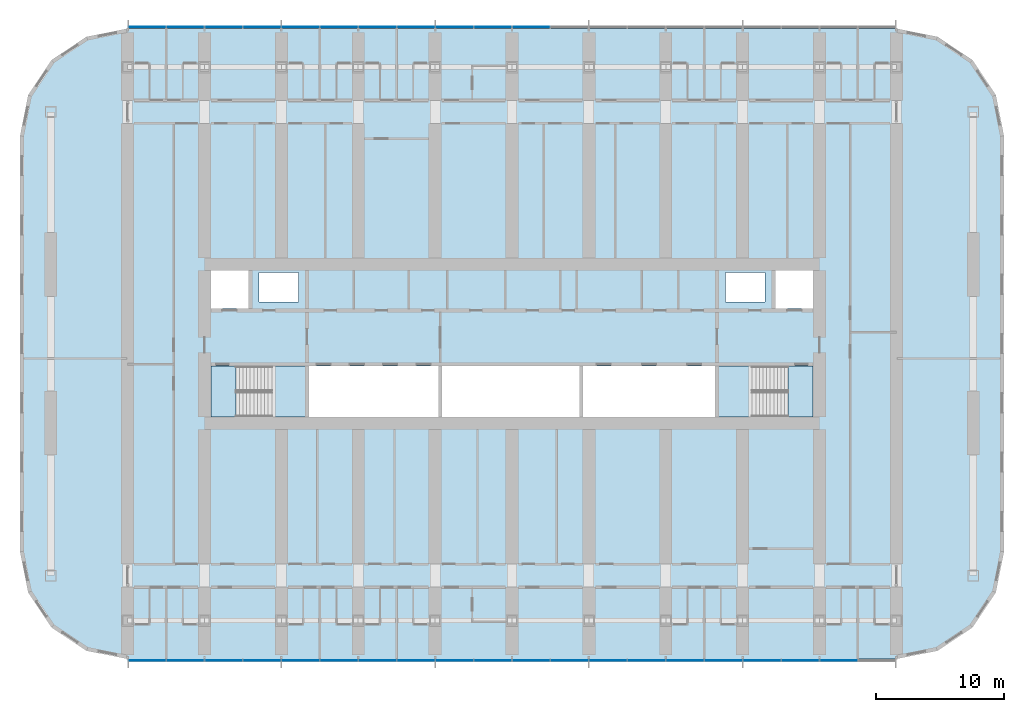
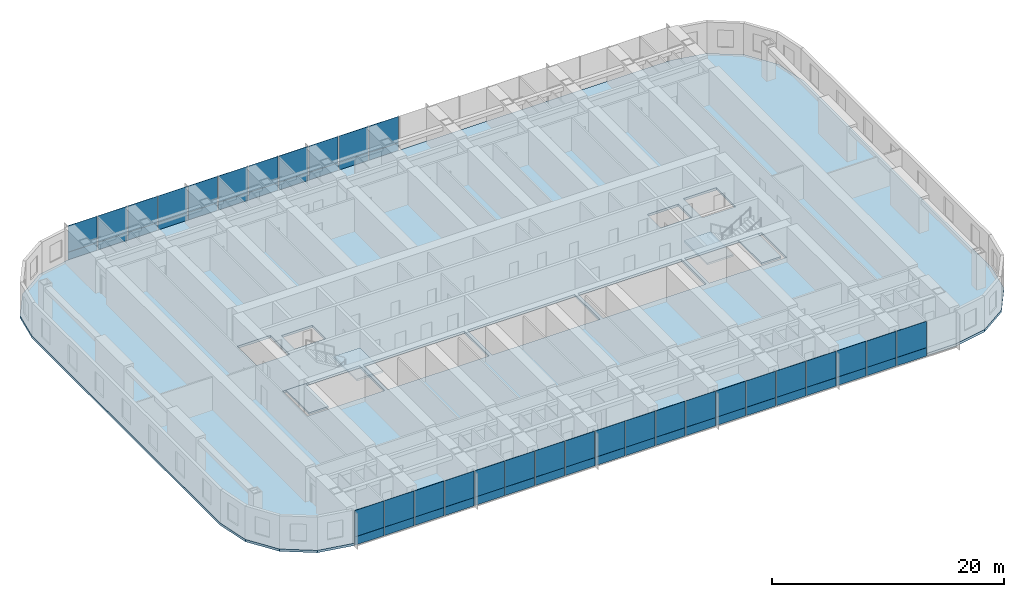
# One storey, part 8 of 23: 60 plates, 5 slabs, 4 elements without a shape of their own.
"""IFC4 building model written with IfcOpenShell, lengths in metres."""

from ifc_helpers import new_model, si_unit, direction, frame, origin, origin_2d, place, context, subcontext, project, spatial, polyline, rectangle, outline, extrude, material, layer, layer_set, type_object, element, aggregate, save


model = new_model("IFC4")

# Units and contexts
model_context = context("Model", 3, precision=1e-05, world=origin(), true_north=direction((0.0, 1.0)))
body_context = subcontext(model_context, "Body", "Model", "MODEL_VIEW")
ifc_project = project(units=[si_unit("LENGTHUNIT", "METRE"), si_unit("AREAUNIT", "SQUARE_METRE"), si_unit("VOLUMEUNIT", "CUBIC_METRE"), si_unit("PLANEANGLEUNIT", "RADIAN"), si_unit("MASSUNIT", "GRAM", prefix="KILO")], contexts=[model_context])

# Site, building, storey
site_placement = place(None, origin())
site = spatial("IfcSite", under=ifc_project, at=site_placement, CompositionType="ELEMENT")
building_placement = place(site_placement, origin())
building = spatial("IfcBuilding", under=site, at=building_placement, Name="Orbita Commons", CompositionType="ELEMENT")
storey_placement = place(building_placement, frame((0.0, 0.0, 46.449951171875)))
storey = spatial("IfcBuildingStorey", under=building, at=storey_placement, Name="L11", CompositionType="ELEMENT", Elevation=46.449951171875)

# Slab
ifc_material_1 = material(Name="Concrete C40/50", Category="concrete")
ifc_layer_1 = layer(ifc_material_1, 0.25)
ifc_layer_set_1 = layer_set([ifc_layer_1], Name="Concrete C40/50")
slab_type_1 = type_object("IfcSlabType", Name="Floor slab 250", PredefinedType="FLOOR", material=ifc_layer_set_1)
slab_1_placement = place(storey_placement, frame((0.0, 0.0, -0.25)))
element("IfcSlab", 1, at=slab_1_placement, inside=storey, type_object=slab_type_1, Name="Floor slab L11", PredefinedType="FLOOR", context=body_context, shape_type="SweptSolid", body=[
    extrude(outline(polyline([(72.0, 7.39990234375), (75.214599609375, 8.039306640625), (77.939697265625, 9.8603515625), (79.760498046875, 12.58544921875), (80.39990234375, 15.800048828125), (80.39990234375, 48.199951171875), (79.760498046875, 51.41455078125), (77.939697265625, 54.1396484375), (75.214599609375, 55.960693359375), (72.0, 56.60009765625), (12.0, 56.60009765625), (8.785400390625, 55.960693359375), (6.060302734375, 54.1396484375), (4.239501953125, 51.41455078125), (3.60009765625, 48.199951171875), (3.60009765625, 15.800048828125), (4.239501953125, 12.58544921875), (6.060302734375, 9.8603515625), (8.785400390625, 8.039306640625), (12.0, 7.39990234375), (72.0, 7.39990234375)]), holes=[polyline([(18.14990234375, 25.949951171875), (25.85009765625, 25.949951171875), (25.85009765625, 30.25), (18.14990234375, 30.25), (18.14990234375, 25.949951171875)]), polyline([(58.14990234375, 25.949951171875), (65.85009765625, 25.949951171875), (65.85009765625, 30.25), (58.14990234375, 30.25), (58.14990234375, 25.949951171875)]), polyline([(18.14990234375, 34.75), (21.449951171875, 34.75), (21.449951171875, 38.050048828125), (18.14990234375, 38.050048828125), (18.14990234375, 34.75)]), polyline([(62.550048828125, 34.75), (65.85009765625, 34.75), (65.85009765625, 38.050048828125), (62.550048828125, 38.050048828125), (62.550048828125, 34.75)]), polyline([(22.25, 35.25), (25.35009765625, 35.25), (25.35009765625, 37.550048828125), (22.25, 37.550048828125), (22.25, 35.25)]), polyline([(58.64990234375, 35.25), (61.75, 35.25), (61.75, 37.550048828125), (58.64990234375, 37.550048828125), (58.64990234375, 35.25)]), polyline([(26.14990234375, 25.949951171875), (36.25, 25.949951171875), (36.25, 30.25), (26.14990234375, 30.25), (26.14990234375, 25.949951171875)]), polyline([(36.550048828125, 25.949951171875), (47.25, 25.949951171875), (47.25, 30.25), (36.550048828125, 30.25), (36.550048828125, 25.949951171875)]), polyline([(47.550048828125, 25.949951171875), (57.85009765625, 25.949951171875), (57.85009765625, 30.25), (47.550048828125, 30.25), (47.550048828125, 25.949951171875)])]), origin(), (0.0, 0.0, 1.0), 0.25),
])

# Curtain wall, plates
ifc_material_2 = material(Name="Anodised aluminium frame, pale silver", Category="aluminium")
curtain_wall_type = type_object("IfcCurtainWallType", Name="Unitised curtain wall CW-T, vision and spandrel", PredefinedType="NOTDEFINED", material=ifc_material_2)
curtain_wall_1_placement = place(storey_placement, origin())
curtain_wall_1 = element("IfcCurtainWall", 2, at=curtain_wall_1_placement, inside=storey, type_object=curtain_wall_type, Name="Curtain wall south L11", PredefinedType="NOTDEFINED")
ifc_material_3 = material(Name="Anodised aluminium sheet on mineral wool", Category="aluminium")
ifc_layer_2 = layer(ifc_material_3, 0.050048828125)
ifc_layer_set_2 = layer_set([ifc_layer_2], Name="Anodised aluminium sheet on mineral wool")
plate_type_1 = type_object("IfcPlateType", Name="Spandrel panel, pale aluminium over insulation 50", PredefinedType="CURTAIN_PANEL", material=ifc_layer_set_2)
plate_1_placement = place(storey_placement, frame((13.52001953125, 7.2900390625, -0.14990234375), z_axis=(0.0, 0.0, 1.0), x_axis=(1.0, 0.0, 0.0)))
plate_1 = element("IfcPlate", 3, at=plate_1_placement, type_object=plate_type_1, Name="Panel 1.1 CW-L11-S", PredefinedType="CURTAIN_PANEL", context=body_context, shape_type="SweptSolid", body=[
    extrude(rectangle(XDim=2.8798828125, YDim=0.050048828125, at=origin_2d()), origin(), (0.0, 0.0, 1.0), 0.875),
])
plate_2_placement = place(storey_placement, frame((16.5, 7.2900390625, -0.14990234375), z_axis=(0.0, 0.0, 1.0), x_axis=(1.0, 0.0, 0.0)))
plate_2 = element("IfcPlate", 4, at=plate_2_placement, type_object=plate_type_1, Name="Panel 2.1 CW-L11-S", PredefinedType="CURTAIN_PANEL", context=body_context, shape_type="SweptSolid", body=[
    extrude(rectangle(XDim=2.919921875, YDim=0.050048828125, at=origin_2d()), origin(), (0.0, 0.0, 1.0), 0.875),
])
plate_3_placement = place(storey_placement, frame((19.5, 7.2900390625, -0.14990234375), z_axis=(0.0, 0.0, 1.0), x_axis=(1.0, 0.0, 0.0)))
plate_3 = element("IfcPlate", 5, at=plate_3_placement, type_object=plate_type_1, Name="Panel 3.1 CW-L11-S", PredefinedType="CURTAIN_PANEL", context=body_context, shape_type="SweptSolid", body=[
    extrude(rectangle(XDim=2.919921875, YDim=0.050048828125, at=origin_2d()), origin(), (0.0, 0.0, 1.0), 0.875),
])
plate_4_placement = place(storey_placement, frame((22.5, 7.2900390625, -0.14990234375), z_axis=(0.0, 0.0, 1.0), x_axis=(1.0, 0.0, 0.0)))
plate_4 = element("IfcPlate", 6, at=plate_4_placement, type_object=plate_type_1, Name="Panel 4.1 CW-L11-S", PredefinedType="CURTAIN_PANEL", context=body_context, shape_type="SweptSolid", body=[
    extrude(rectangle(XDim=2.919921875, YDim=0.050048828125, at=origin_2d()), origin(), (0.0, 0.0, 1.0), 0.875),
])
plate_5_placement = place(storey_placement, frame((25.5, 7.2900390625, -0.14990234375), z_axis=(0.0, 0.0, 1.0), x_axis=(1.0, 0.0, 0.0)))
plate_5 = element("IfcPlate", 7, at=plate_5_placement, type_object=plate_type_1, Name="Panel 5.1 CW-L11-S", PredefinedType="CURTAIN_PANEL", context=body_context, shape_type="SweptSolid", body=[
    extrude(rectangle(XDim=2.919921875, YDim=0.050048828125, at=origin_2d()), origin(), (0.0, 0.0, 1.0), 0.875),
])
plate_6_placement = place(storey_placement, frame((28.5, 7.2900390625, -0.14990234375), z_axis=(0.0, 0.0, 1.0), x_axis=(1.0, 0.0, 0.0)))
plate_6 = element("IfcPlate", 8, at=plate_6_placement, type_object=plate_type_1, Name="Panel 6.1 CW-L11-S", PredefinedType="CURTAIN_PANEL", context=body_context, shape_type="SweptSolid", body=[
    extrude(rectangle(XDim=2.919921875, YDim=0.050048828125, at=origin_2d()), origin(), (0.0, 0.0, 1.0), 0.875),
])
plate_7_placement = place(storey_placement, frame((31.5, 7.2900390625, -0.14990234375), z_axis=(0.0, 0.0, 1.0), x_axis=(1.0, 0.0, 0.0)))
plate_7 = element("IfcPlate", 9, at=plate_7_placement, type_object=plate_type_1, Name="Panel 7.1 CW-L11-S", PredefinedType="CURTAIN_PANEL", context=body_context, shape_type="SweptSolid", body=[
    extrude(rectangle(XDim=2.919921875, YDim=0.050048828125, at=origin_2d()), origin(), (0.0, 0.0, 1.0), 0.875),
])
plate_8_placement = place(storey_placement, frame((34.5, 7.2900390625, -0.14990234375), z_axis=(0.0, 0.0, 1.0), x_axis=(1.0, 0.0, 0.0)))
plate_8 = element("IfcPlate", 10, at=plate_8_placement, type_object=plate_type_1, Name="Panel 8.1 CW-L11-S", PredefinedType="CURTAIN_PANEL", context=body_context, shape_type="SweptSolid", body=[
    extrude(rectangle(XDim=2.919921875, YDim=0.050048828125, at=origin_2d()), origin(), (0.0, 0.0, 1.0), 0.875),
])
plate_9_placement = place(storey_placement, frame((37.5, 7.2900390625, -0.14990234375), z_axis=(0.0, 0.0, 1.0), x_axis=(1.0, 0.0, 0.0)))
plate_9 = element("IfcPlate", 11, at=plate_9_placement, type_object=plate_type_1, Name="Panel 9.1 CW-L11-S", PredefinedType="CURTAIN_PANEL", context=body_context, shape_type="SweptSolid", body=[
    extrude(rectangle(XDim=2.919921875, YDim=0.050048828125, at=origin_2d()), origin(), (0.0, 0.0, 1.0), 0.875),
])
plate_10_placement = place(storey_placement, frame((40.5, 7.2900390625, -0.14990234375), z_axis=(0.0, 0.0, 1.0), x_axis=(1.0, 0.0, 0.0)))
plate_10 = element("IfcPlate", 12, at=plate_10_placement, type_object=plate_type_1, Name="Panel 10.1 CW-L11-S", PredefinedType="CURTAIN_PANEL", context=body_context, shape_type="SweptSolid", body=[
    extrude(rectangle(XDim=2.919921875, YDim=0.050048828125, at=origin_2d()), origin(), (0.0, 0.0, 1.0), 0.875),
])
plate_11_placement = place(storey_placement, frame((43.5, 7.2900390625, -0.14990234375), z_axis=(0.0, 0.0, 1.0), x_axis=(1.0, 0.0, 0.0)))
plate_11 = element("IfcPlate", 13, at=plate_11_placement, type_object=plate_type_1, Name="Panel 11.1 CW-L11-S", PredefinedType="CURTAIN_PANEL", context=body_context, shape_type="SweptSolid", body=[
    extrude(rectangle(XDim=2.919921875, YDim=0.050048828125, at=origin_2d()), origin(), (0.0, 0.0, 1.0), 0.875),
])
plate_12_placement = place(storey_placement, frame((46.5, 7.2900390625, -0.14990234375), z_axis=(0.0, 0.0, 1.0), x_axis=(1.0, 0.0, 0.0)))
plate_12 = element("IfcPlate", 14, at=plate_12_placement, type_object=plate_type_1, Name="Panel 12.1 CW-L11-S", PredefinedType="CURTAIN_PANEL", context=body_context, shape_type="SweptSolid", body=[
    extrude(rectangle(XDim=2.919921875, YDim=0.050048828125, at=origin_2d()), origin(), (0.0, 0.0, 1.0), 0.875),
])
plate_13_placement = place(storey_placement, frame((49.5, 7.2900390625, -0.14990234375), z_axis=(0.0, 0.0, 1.0), x_axis=(1.0, 0.0, 0.0)))
plate_13 = element("IfcPlate", 15, at=plate_13_placement, type_object=plate_type_1, Name="Panel 13.1 CW-L11-S", PredefinedType="CURTAIN_PANEL", context=body_context, shape_type="SweptSolid", body=[
    extrude(rectangle(XDim=2.919921875, YDim=0.050048828125, at=origin_2d()), origin(), (0.0, 0.0, 1.0), 0.875),
])
plate_14_placement = place(storey_placement, frame((52.5, 7.2900390625, -0.14990234375), z_axis=(0.0, 0.0, 1.0), x_axis=(1.0, 0.0, 0.0)))
plate_14 = element("IfcPlate", 16, at=plate_14_placement, type_object=plate_type_1, Name="Panel 14.1 CW-L11-S", PredefinedType="CURTAIN_PANEL", context=body_context, shape_type="SweptSolid", body=[
    extrude(rectangle(XDim=2.919921875, YDim=0.050048828125, at=origin_2d()), origin(), (0.0, 0.0, 1.0), 0.875),
])
plate_15_placement = place(storey_placement, frame((55.5, 7.2900390625, -0.14990234375), z_axis=(0.0, 0.0, 1.0), x_axis=(1.0, 0.0, 0.0)))
plate_15 = element("IfcPlate", 17, at=plate_15_placement, type_object=plate_type_1, Name="Panel 15.1 CW-L11-S", PredefinedType="CURTAIN_PANEL", context=body_context, shape_type="SweptSolid", body=[
    extrude(rectangle(XDim=2.919921875, YDim=0.050048828125, at=origin_2d()), origin(), (0.0, 0.0, 1.0), 0.875),
])
plate_16_placement = place(storey_placement, frame((58.5, 7.2900390625, -0.14990234375), z_axis=(0.0, 0.0, 1.0), x_axis=(1.0, 0.0, 0.0)))
plate_16 = element("IfcPlate", 18, at=plate_16_placement, type_object=plate_type_1, Name="Panel 16.1 CW-L11-S", PredefinedType="CURTAIN_PANEL", context=body_context, shape_type="SweptSolid", body=[
    extrude(rectangle(XDim=2.919921875, YDim=0.050048828125, at=origin_2d()), origin(), (0.0, 0.0, 1.0), 0.875),
])
plate_17_placement = place(storey_placement, frame((61.5, 7.2900390625, -0.14990234375), z_axis=(0.0, 0.0, 1.0), x_axis=(1.0, 0.0, 0.0)))
plate_17 = element("IfcPlate", 19, at=plate_17_placement, type_object=plate_type_1, Name="Panel 17.1 CW-L11-S", PredefinedType="CURTAIN_PANEL", context=body_context, shape_type="SweptSolid", body=[
    extrude(rectangle(XDim=2.919921875, YDim=0.050048828125, at=origin_2d()), origin(), (0.0, 0.0, 1.0), 0.875),
])
plate_18_placement = place(storey_placement, frame((64.5, 7.2900390625, -0.14990234375), z_axis=(0.0, 0.0, 1.0), x_axis=(1.0, 0.0, 0.0)))
plate_18 = element("IfcPlate", 20, at=plate_18_placement, type_object=plate_type_1, Name="Panel 18.1 CW-L11-S", PredefinedType="CURTAIN_PANEL", context=body_context, shape_type="SweptSolid", body=[
    extrude(rectangle(XDim=2.919921875, YDim=0.050048828125, at=origin_2d()), origin(), (0.0, 0.0, 1.0), 0.875),
])
plate_19_placement = place(storey_placement, frame((67.5, 7.2900390625, -0.14990234375), z_axis=(0.0, 0.0, 1.0), x_axis=(1.0, 0.0, 0.0)))
plate_19 = element("IfcPlate", 21, at=plate_19_placement, type_object=plate_type_1, Name="Panel 19.1 CW-L11-S", PredefinedType="CURTAIN_PANEL", context=body_context, shape_type="SweptSolid", body=[
    extrude(rectangle(XDim=2.919921875, YDim=0.050048828125, at=origin_2d()), origin(), (0.0, 0.0, 1.0), 0.875),
])

curtain_wall_2_placement = place(storey_placement, origin())
curtain_wall_2 = element("IfcCurtainWall", 22, at=curtain_wall_2_placement, inside=storey, type_object=curtain_wall_type, Name="Curtain wall north L11", PredefinedType="NOTDEFINED")
plate_20_placement = place(storey_placement, frame((43.5, 56.7099609375, -0.14990234375), z_axis=(0.0, 0.0, 1.0), x_axis=(-1.0, 0.0, 0.0)))
plate_20 = element("IfcPlate", 23, at=plate_20_placement, type_object=plate_type_1, Name="Panel 10.1 CW-L11-N", PredefinedType="CURTAIN_PANEL", context=body_context, shape_type="SweptSolid", body=[
    extrude(rectangle(XDim=2.919921875, YDim=0.050048828125, at=origin_2d()), origin(), (0.0, 0.0, 1.0), 0.875),
])
plate_21_placement = place(storey_placement, frame((40.5, 56.7099609375, -0.14990234375), z_axis=(0.0, 0.0, 1.0), x_axis=(-1.0, 0.0, 0.0)))
plate_21 = element("IfcPlate", 24, at=plate_21_placement, type_object=plate_type_1, Name="Panel 11.1 CW-L11-N", PredefinedType="CURTAIN_PANEL", context=body_context, shape_type="SweptSolid", body=[
    extrude(rectangle(XDim=2.919921875, YDim=0.050048828125, at=origin_2d()), origin(), (0.0, 0.0, 1.0), 0.875),
])
plate_22_placement = place(storey_placement, frame((37.5, 56.7099609375, -0.14990234375), z_axis=(0.0, 0.0, 1.0), x_axis=(-1.0, 0.0, 0.0)))
plate_22 = element("IfcPlate", 25, at=plate_22_placement, type_object=plate_type_1, Name="Panel 12.1 CW-L11-N", PredefinedType="CURTAIN_PANEL", context=body_context, shape_type="SweptSolid", body=[
    extrude(rectangle(XDim=2.919921875, YDim=0.050048828125, at=origin_2d()), origin(), (0.0, 0.0, 1.0), 0.875),
])
plate_23_placement = place(storey_placement, frame((34.5, 56.7099609375, -0.14990234375), z_axis=(0.0, 0.0, 1.0), x_axis=(-1.0, 0.0, 0.0)))
plate_23 = element("IfcPlate", 26, at=plate_23_placement, type_object=plate_type_1, Name="Panel 13.1 CW-L11-N", PredefinedType="CURTAIN_PANEL", context=body_context, shape_type="SweptSolid", body=[
    extrude(rectangle(XDim=2.919921875, YDim=0.050048828125, at=origin_2d()), origin(), (0.0, 0.0, 1.0), 0.875),
])
plate_24_placement = place(storey_placement, frame((31.5, 56.7099609375, -0.14990234375), z_axis=(0.0, 0.0, 1.0), x_axis=(-1.0, 0.0, 0.0)))
plate_24 = element("IfcPlate", 27, at=plate_24_placement, type_object=plate_type_1, Name="Panel 14.1 CW-L11-N", PredefinedType="CURTAIN_PANEL", context=body_context, shape_type="SweptSolid", body=[
    extrude(rectangle(XDim=2.919921875, YDim=0.050048828125, at=origin_2d()), origin(), (0.0, 0.0, 1.0), 0.875),
])
plate_25_placement = place(storey_placement, frame((28.5, 56.7099609375, -0.14990234375), z_axis=(0.0, 0.0, 1.0), x_axis=(-1.0, 0.0, 0.0)))
plate_25 = element("IfcPlate", 28, at=plate_25_placement, type_object=plate_type_1, Name="Panel 15.1 CW-L11-N", PredefinedType="CURTAIN_PANEL", context=body_context, shape_type="SweptSolid", body=[
    extrude(rectangle(XDim=2.919921875, YDim=0.050048828125, at=origin_2d()), origin(), (0.0, 0.0, 1.0), 0.875),
])
plate_26_placement = place(storey_placement, frame((25.5, 56.7099609375, -0.14990234375), z_axis=(0.0, 0.0, 1.0), x_axis=(-1.0, 0.0, 0.0)))
plate_26 = element("IfcPlate", 29, at=plate_26_placement, type_object=plate_type_1, Name="Panel 16.1 CW-L11-N", PredefinedType="CURTAIN_PANEL", context=body_context, shape_type="SweptSolid", body=[
    extrude(rectangle(XDim=2.919921875, YDim=0.050048828125, at=origin_2d()), origin(), (0.0, 0.0, 1.0), 0.875),
])
plate_27_placement = place(storey_placement, frame((22.5, 56.7099609375, -0.14990234375), z_axis=(0.0, 0.0, 1.0), x_axis=(-1.0, 0.0, 0.0)))
plate_27 = element("IfcPlate", 30, at=plate_27_placement, type_object=plate_type_1, Name="Panel 17.1 CW-L11-N", PredefinedType="CURTAIN_PANEL", context=body_context, shape_type="SweptSolid", body=[
    extrude(rectangle(XDim=2.919921875, YDim=0.050048828125, at=origin_2d()), origin(), (0.0, 0.0, 1.0), 0.875),
])
plate_28_placement = place(storey_placement, frame((19.5, 56.7099609375, -0.14990234375), z_axis=(0.0, 0.0, 1.0), x_axis=(-1.0, 0.0, 0.0)))
plate_28 = element("IfcPlate", 31, at=plate_28_placement, type_object=plate_type_1, Name="Panel 18.1 CW-L11-N", PredefinedType="CURTAIN_PANEL", context=body_context, shape_type="SweptSolid", body=[
    extrude(rectangle(XDim=2.919921875, YDim=0.050048828125, at=origin_2d()), origin(), (0.0, 0.0, 1.0), 0.875),
])
plate_29_placement = place(storey_placement, frame((16.5, 56.7099609375, -0.14990234375), z_axis=(0.0, 0.0, 1.0), x_axis=(-1.0, 0.0, 0.0)))
plate_29 = element("IfcPlate", 32, at=plate_29_placement, type_object=plate_type_1, Name="Panel 19.1 CW-L11-N", PredefinedType="CURTAIN_PANEL", context=body_context, shape_type="SweptSolid", body=[
    extrude(rectangle(XDim=2.919921875, YDim=0.050048828125, at=origin_2d()), origin(), (0.0, 0.0, 1.0), 0.875),
])
plate_30_placement = place(storey_placement, frame((13.52001953125, 56.7099609375, -0.14990234375), z_axis=(0.0, 0.0, 1.0), x_axis=(-1.0, 0.0, 0.0)))
plate_30 = element("IfcPlate", 33, at=plate_30_placement, type_object=plate_type_1, Name="Panel 20.1 CW-L11-N", PredefinedType="CURTAIN_PANEL", context=body_context, shape_type="SweptSolid", body=[
    extrude(rectangle(XDim=2.8798828125, YDim=0.050048828125, at=origin_2d()), origin(), (0.0, 0.0, 1.0), 0.875),
])

# Stair, slabs
ifc_material_4 = material(Name="Precast concrete C40/50", Category="concrete")
stair_type_1 = type_object("IfcStairType", Name="Exit stair S1 2 flights 11 risers 170", PredefinedType="HALF_TURN_STAIR", material=ifc_material_4)
stair_1_placement = place(storey_placement, origin())
stair_1 = element("IfcStair", 34, at=stair_1_placement, inside=storey, type_object=stair_type_1, Name="Exit stair S1 L11", PredefinedType="HALF_TURN_STAIR")
ifc_material_5 = material(Name="Concrete C40/50", Category="concrete")
ifc_layer_3 = layer(ifc_material_5, 0.199951171875)
ifc_layer_set_3 = layer_set([ifc_layer_3], Name="Concrete C40/50")
slab_type_2 = type_object("IfcSlabType", Name="Stair landing 200", PredefinedType="LANDING", material=ifc_layer_set_3)
slab_2_placement = place(storey_placement, frame((0.0, 0.0, -0.199951171875)))
slab_2 = element("IfcSlab", 35, at=slab_2_placement, type_object=slab_type_2, Name="S1 landing 1", PredefinedType="LANDING", context=body_context, shape_type="SweptSolid", body=[
    extrude(outline(polyline([(18.5, 26.300048828125), (20.449951171875, 26.300048828125), (20.449951171875, 30.25), (18.5, 30.25), (18.5, 26.300048828125)])), origin(), (0.0, 0.0, 1.0), 0.199951171875),
])
slab_3_placement = place(storey_placement, frame((0.0, 0.0, 1.675048828125)))
slab_3 = element("IfcSlab", 36, at=slab_3_placement, type_object=slab_type_2, Name="S1 landing 2", PredefinedType="LANDING", context=body_context, shape_type="SweptSolid", body=[
    extrude(outline(polyline([(23.25, 26.284912109375), (25.864990234375, 26.284912109375), (25.864990234375, 30.264892578125), (23.25, 30.264892578125), (23.25, 26.284912109375)])), origin(), (0.0, 0.0, 1.0), 0.199951171875),
])
aggregate(stair_1, [slab_2, slab_3])

ifc_material_6 = material(Name="Precast concrete C40/50", Category="concrete")
stair_type_2 = type_object("IfcStairType", Name="Exit stair S2 2 flights 11 risers 170", PredefinedType="HALF_TURN_STAIR", material=ifc_material_6)
stair_2_placement = place(storey_placement, origin())
stair_2 = element("IfcStair", 37, at=stair_2_placement, inside=storey, type_object=stair_type_2, Name="Exit stair S2 L11", PredefinedType="HALF_TURN_STAIR")
slab_4_placement = place(storey_placement, frame((0.0, 0.0, -0.199951171875)))
slab_4 = element("IfcSlab", 38, at=slab_4_placement, type_object=slab_type_2, Name="S2 landing 1", PredefinedType="LANDING", context=body_context, shape_type="SweptSolid", body=[
    extrude(outline(polyline([(63.550048828125, 26.300048828125), (65.5, 26.300048828125), (65.5, 30.25), (63.550048828125, 30.25), (63.550048828125, 26.300048828125)])), origin(), (0.0, 0.0, 1.0), 0.199951171875),
])
slab_5_placement = place(storey_placement, frame((0.0, 0.0, 1.675048828125)))
slab_5 = element("IfcSlab", 39, at=slab_5_placement, type_object=slab_type_2, Name="S2 landing 2", PredefinedType="LANDING", context=body_context, shape_type="SweptSolid", body=[
    extrude(outline(polyline([(58.135009765625, 26.284912109375), (60.75, 26.284912109375), (60.75, 30.264892578125), (58.135009765625, 30.264892578125), (58.135009765625, 26.284912109375)])), origin(), (0.0, 0.0, 1.0), 0.199951171875),
])
aggregate(stair_2, [slab_4, slab_5])

# Plate
ifc_material_7 = material(Name="Clear double glazing", Category="glass")
ifc_layer_4 = layer(ifc_material_7, 0.031982421875)
ifc_layer_set_4 = layer_set([ifc_layer_4], Name="Clear double glazing")
plate_type_2 = type_object("IfcPlateType", Name="Vision panel, clear double glazing 32", PredefinedType="CURTAIN_PANEL", material=ifc_layer_set_4)
plate_31_placement = place(storey_placement, frame((13.52001953125, 7.2900390625, 0.72509765625), z_axis=(0.0, 0.0, 1.0), x_axis=(1.0, 0.0, 0.0)))
plate_31 = element("IfcPlate", 40, at=plate_31_placement, type_object=plate_type_2, Name="Panel 1.2 CW-L11-S", PredefinedType="CURTAIN_PANEL", context=body_context, shape_type="SweptSolid", body=[
    extrude(rectangle(XDim=2.8798828125, YDim=0.031982421875, at=origin_2d()), origin(), (0.0, 0.0, 1.0), 2.77490234375),
])

plate_32_placement = place(storey_placement, frame((16.5, 7.2900390625, 0.72509765625), z_axis=(0.0, 0.0, 1.0), x_axis=(1.0, 0.0, 0.0)))
plate_32 = element("IfcPlate", 41, at=plate_32_placement, type_object=plate_type_2, Name="Panel 2.2 CW-L11-S", PredefinedType="CURTAIN_PANEL", context=body_context, shape_type="SweptSolid", body=[
    extrude(rectangle(XDim=2.919921875, YDim=0.031982421875, at=origin_2d()), origin(), (0.0, 0.0, 1.0), 2.77490234375),
])

plate_33_placement = place(storey_placement, frame((19.5, 7.2900390625, 0.72509765625), z_axis=(0.0, 0.0, 1.0), x_axis=(1.0, 0.0, 0.0)))
plate_33 = element("IfcPlate", 42, at=plate_33_placement, type_object=plate_type_2, Name="Panel 3.2 CW-L11-S", PredefinedType="CURTAIN_PANEL", context=body_context, shape_type="SweptSolid", body=[
    extrude(rectangle(XDim=2.919921875, YDim=0.031982421875, at=origin_2d()), origin(), (0.0, 0.0, 1.0), 2.77490234375),
])

plate_34_placement = place(storey_placement, frame((22.5, 7.2900390625, 0.72509765625), z_axis=(0.0, 0.0, 1.0), x_axis=(1.0, 0.0, 0.0)))
plate_34 = element("IfcPlate", 43, at=plate_34_placement, type_object=plate_type_2, Name="Panel 4.2 CW-L11-S", PredefinedType="CURTAIN_PANEL", context=body_context, shape_type="SweptSolid", body=[
    extrude(rectangle(XDim=2.919921875, YDim=0.031982421875, at=origin_2d()), origin(), (0.0, 0.0, 1.0), 2.77490234375),
])

plate_35_placement = place(storey_placement, frame((25.5, 7.2900390625, 0.72509765625), z_axis=(0.0, 0.0, 1.0), x_axis=(1.0, 0.0, 0.0)))
plate_35 = element("IfcPlate", 44, at=plate_35_placement, type_object=plate_type_2, Name="Panel 5.2 CW-L11-S", PredefinedType="CURTAIN_PANEL", context=body_context, shape_type="SweptSolid", body=[
    extrude(rectangle(XDim=2.919921875, YDim=0.031982421875, at=origin_2d()), origin(), (0.0, 0.0, 1.0), 2.77490234375),
])

plate_36_placement = place(storey_placement, frame((28.5, 7.2900390625, 0.72509765625), z_axis=(0.0, 0.0, 1.0), x_axis=(1.0, 0.0, 0.0)))
plate_36 = element("IfcPlate", 45, at=plate_36_placement, type_object=plate_type_2, Name="Panel 6.2 CW-L11-S", PredefinedType="CURTAIN_PANEL", context=body_context, shape_type="SweptSolid", body=[
    extrude(rectangle(XDim=2.919921875, YDim=0.031982421875, at=origin_2d()), origin(), (0.0, 0.0, 1.0), 2.77490234375),
])

plate_37_placement = place(storey_placement, frame((31.5, 7.2900390625, 0.72509765625), z_axis=(0.0, 0.0, 1.0), x_axis=(1.0, 0.0, 0.0)))
plate_37 = element("IfcPlate", 46, at=plate_37_placement, type_object=plate_type_2, Name="Panel 7.2 CW-L11-S", PredefinedType="CURTAIN_PANEL", context=body_context, shape_type="SweptSolid", body=[
    extrude(rectangle(XDim=2.919921875, YDim=0.031982421875, at=origin_2d()), origin(), (0.0, 0.0, 1.0), 2.77490234375),
])

plate_38_placement = place(storey_placement, frame((34.5, 7.2900390625, 0.72509765625), z_axis=(0.0, 0.0, 1.0), x_axis=(1.0, 0.0, 0.0)))
plate_38 = element("IfcPlate", 47, at=plate_38_placement, type_object=plate_type_2, Name="Panel 8.2 CW-L11-S", PredefinedType="CURTAIN_PANEL", context=body_context, shape_type="SweptSolid", body=[
    extrude(rectangle(XDim=2.919921875, YDim=0.031982421875, at=origin_2d()), origin(), (0.0, 0.0, 1.0), 2.77490234375),
])

plate_39_placement = place(storey_placement, frame((37.5, 7.2900390625, 0.72509765625), z_axis=(0.0, 0.0, 1.0), x_axis=(1.0, 0.0, 0.0)))
plate_39 = element("IfcPlate", 48, at=plate_39_placement, type_object=plate_type_2, Name="Panel 9.2 CW-L11-S", PredefinedType="CURTAIN_PANEL", context=body_context, shape_type="SweptSolid", body=[
    extrude(rectangle(XDim=2.919921875, YDim=0.031982421875, at=origin_2d()), origin(), (0.0, 0.0, 1.0), 2.77490234375),
])

plate_40_placement = place(storey_placement, frame((40.5, 7.2900390625, 0.72509765625), z_axis=(0.0, 0.0, 1.0), x_axis=(1.0, 0.0, 0.0)))
plate_40 = element("IfcPlate", 49, at=plate_40_placement, type_object=plate_type_2, Name="Panel 10.2 CW-L11-S", PredefinedType="CURTAIN_PANEL", context=body_context, shape_type="SweptSolid", body=[
    extrude(rectangle(XDim=2.919921875, YDim=0.031982421875, at=origin_2d()), origin(), (0.0, 0.0, 1.0), 2.77490234375),
])

plate_41_placement = place(storey_placement, frame((43.5, 7.2900390625, 0.72509765625), z_axis=(0.0, 0.0, 1.0), x_axis=(1.0, 0.0, 0.0)))
plate_41 = element("IfcPlate", 50, at=plate_41_placement, type_object=plate_type_2, Name="Panel 11.2 CW-L11-S", PredefinedType="CURTAIN_PANEL", context=body_context, shape_type="SweptSolid", body=[
    extrude(rectangle(XDim=2.919921875, YDim=0.031982421875, at=origin_2d()), origin(), (0.0, 0.0, 1.0), 2.77490234375),
])

plate_42_placement = place(storey_placement, frame((46.5, 7.2900390625, 0.72509765625), z_axis=(0.0, 0.0, 1.0), x_axis=(1.0, 0.0, 0.0)))
plate_42 = element("IfcPlate", 51, at=plate_42_placement, type_object=plate_type_2, Name="Panel 12.2 CW-L11-S", PredefinedType="CURTAIN_PANEL", context=body_context, shape_type="SweptSolid", body=[
    extrude(rectangle(XDim=2.919921875, YDim=0.031982421875, at=origin_2d()), origin(), (0.0, 0.0, 1.0), 2.77490234375),
])

plate_43_placement = place(storey_placement, frame((49.5, 7.2900390625, 0.72509765625), z_axis=(0.0, 0.0, 1.0), x_axis=(1.0, 0.0, 0.0)))
plate_43 = element("IfcPlate", 52, at=plate_43_placement, type_object=plate_type_2, Name="Panel 13.2 CW-L11-S", PredefinedType="CURTAIN_PANEL", context=body_context, shape_type="SweptSolid", body=[
    extrude(rectangle(XDim=2.919921875, YDim=0.031982421875, at=origin_2d()), origin(), (0.0, 0.0, 1.0), 2.77490234375),
])

plate_44_placement = place(storey_placement, frame((52.5, 7.2900390625, 0.72509765625), z_axis=(0.0, 0.0, 1.0), x_axis=(1.0, 0.0, 0.0)))
plate_44 = element("IfcPlate", 53, at=plate_44_placement, type_object=plate_type_2, Name="Panel 14.2 CW-L11-S", PredefinedType="CURTAIN_PANEL", context=body_context, shape_type="SweptSolid", body=[
    extrude(rectangle(XDim=2.919921875, YDim=0.031982421875, at=origin_2d()), origin(), (0.0, 0.0, 1.0), 2.77490234375),
])

plate_45_placement = place(storey_placement, frame((55.5, 7.2900390625, 0.72509765625), z_axis=(0.0, 0.0, 1.0), x_axis=(1.0, 0.0, 0.0)))
plate_45 = element("IfcPlate", 54, at=plate_45_placement, type_object=plate_type_2, Name="Panel 15.2 CW-L11-S", PredefinedType="CURTAIN_PANEL", context=body_context, shape_type="SweptSolid", body=[
    extrude(rectangle(XDim=2.919921875, YDim=0.031982421875, at=origin_2d()), origin(), (0.0, 0.0, 1.0), 2.77490234375),
])

plate_46_placement = place(storey_placement, frame((58.5, 7.2900390625, 0.72509765625), z_axis=(0.0, 0.0, 1.0), x_axis=(1.0, 0.0, 0.0)))
plate_46 = element("IfcPlate", 55, at=plate_46_placement, type_object=plate_type_2, Name="Panel 16.2 CW-L11-S", PredefinedType="CURTAIN_PANEL", context=body_context, shape_type="SweptSolid", body=[
    extrude(rectangle(XDim=2.919921875, YDim=0.031982421875, at=origin_2d()), origin(), (0.0, 0.0, 1.0), 2.77490234375),
])

plate_47_placement = place(storey_placement, frame((61.5, 7.2900390625, 0.72509765625), z_axis=(0.0, 0.0, 1.0), x_axis=(1.0, 0.0, 0.0)))
plate_47 = element("IfcPlate", 56, at=plate_47_placement, type_object=plate_type_2, Name="Panel 17.2 CW-L11-S", PredefinedType="CURTAIN_PANEL", context=body_context, shape_type="SweptSolid", body=[
    extrude(rectangle(XDim=2.919921875, YDim=0.031982421875, at=origin_2d()), origin(), (0.0, 0.0, 1.0), 2.77490234375),
])

plate_48_placement = place(storey_placement, frame((64.5, 7.2900390625, 0.72509765625), z_axis=(0.0, 0.0, 1.0), x_axis=(1.0, 0.0, 0.0)))
plate_48 = element("IfcPlate", 57, at=plate_48_placement, type_object=plate_type_2, Name="Panel 18.2 CW-L11-S", PredefinedType="CURTAIN_PANEL", context=body_context, shape_type="SweptSolid", body=[
    extrude(rectangle(XDim=2.919921875, YDim=0.031982421875, at=origin_2d()), origin(), (0.0, 0.0, 1.0), 2.77490234375),
])

plate_49_placement = place(storey_placement, frame((67.5, 7.2900390625, 0.72509765625), z_axis=(0.0, 0.0, 1.0), x_axis=(1.0, 0.0, 0.0)))
plate_49 = element("IfcPlate", 58, at=plate_49_placement, type_object=plate_type_2, Name="Panel 19.2 CW-L11-S", PredefinedType="CURTAIN_PANEL", context=body_context, shape_type="SweptSolid", body=[
    extrude(rectangle(XDim=2.919921875, YDim=0.031982421875, at=origin_2d()), origin(), (0.0, 0.0, 1.0), 2.77490234375),
])

aggregate(curtain_wall_1, [plate_1, plate_31, plate_2, plate_32, plate_3, plate_33, plate_4, plate_34, plate_5, plate_35, plate_6, plate_36, plate_7, plate_37, plate_8, plate_38, plate_9, plate_39, plate_10, plate_40, plate_11, plate_41, plate_12, plate_42, plate_13, plate_43, plate_14, plate_44, plate_15, plate_45, plate_16, plate_46, plate_17, plate_47, plate_18, plate_48, plate_19, plate_49])

plate_50_placement = place(storey_placement, frame((43.5, 56.7099609375, 0.72509765625), z_axis=(0.0, 0.0, 1.0), x_axis=(-1.0, 0.0, 0.0)))
plate_50 = element("IfcPlate", 59, at=plate_50_placement, type_object=plate_type_2, Name="Panel 10.2 CW-L11-N", PredefinedType="CURTAIN_PANEL", context=body_context, shape_type="SweptSolid", body=[
    extrude(rectangle(XDim=2.919921875, YDim=0.031982421875, at=origin_2d()), origin(), (0.0, 0.0, 1.0), 2.77490234375),
])

plate_51_placement = place(storey_placement, frame((40.5, 56.7099609375, 0.72509765625), z_axis=(0.0, 0.0, 1.0), x_axis=(-1.0, 0.0, 0.0)))
plate_51 = element("IfcPlate", 60, at=plate_51_placement, type_object=plate_type_2, Name="Panel 11.2 CW-L11-N", PredefinedType="CURTAIN_PANEL", context=body_context, shape_type="SweptSolid", body=[
    extrude(rectangle(XDim=2.919921875, YDim=0.031982421875, at=origin_2d()), origin(), (0.0, 0.0, 1.0), 2.77490234375),
])

plate_52_placement = place(storey_placement, frame((37.5, 56.7099609375, 0.72509765625), z_axis=(0.0, 0.0, 1.0), x_axis=(-1.0, 0.0, 0.0)))
plate_52 = element("IfcPlate", 61, at=plate_52_placement, type_object=plate_type_2, Name="Panel 12.2 CW-L11-N", PredefinedType="CURTAIN_PANEL", context=body_context, shape_type="SweptSolid", body=[
    extrude(rectangle(XDim=2.919921875, YDim=0.031982421875, at=origin_2d()), origin(), (0.0, 0.0, 1.0), 2.77490234375),
])

plate_53_placement = place(storey_placement, frame((34.5, 56.7099609375, 0.72509765625), z_axis=(0.0, 0.0, 1.0), x_axis=(-1.0, 0.0, 0.0)))
plate_53 = element("IfcPlate", 62, at=plate_53_placement, type_object=plate_type_2, Name="Panel 13.2 CW-L11-N", PredefinedType="CURTAIN_PANEL", context=body_context, shape_type="SweptSolid", body=[
    extrude(rectangle(XDim=2.919921875, YDim=0.031982421875, at=origin_2d()), origin(), (0.0, 0.0, 1.0), 2.77490234375),
])

plate_54_placement = place(storey_placement, frame((31.5, 56.7099609375, 0.72509765625), z_axis=(0.0, 0.0, 1.0), x_axis=(-1.0, 0.0, 0.0)))
plate_54 = element("IfcPlate", 63, at=plate_54_placement, type_object=plate_type_2, Name="Panel 14.2 CW-L11-N", PredefinedType="CURTAIN_PANEL", context=body_context, shape_type="SweptSolid", body=[
    extrude(rectangle(XDim=2.919921875, YDim=0.031982421875, at=origin_2d()), origin(), (0.0, 0.0, 1.0), 2.77490234375),
])

plate_55_placement = place(storey_placement, frame((28.5, 56.7099609375, 0.72509765625), z_axis=(0.0, 0.0, 1.0), x_axis=(-1.0, 0.0, 0.0)))
plate_55 = element("IfcPlate", 64, at=plate_55_placement, type_object=plate_type_2, Name="Panel 15.2 CW-L11-N", PredefinedType="CURTAIN_PANEL", context=body_context, shape_type="SweptSolid", body=[
    extrude(rectangle(XDim=2.919921875, YDim=0.031982421875, at=origin_2d()), origin(), (0.0, 0.0, 1.0), 2.77490234375),
])

plate_56_placement = place(storey_placement, frame((25.5, 56.7099609375, 0.72509765625), z_axis=(0.0, 0.0, 1.0), x_axis=(-1.0, 0.0, 0.0)))
plate_56 = element("IfcPlate", 65, at=plate_56_placement, type_object=plate_type_2, Name="Panel 16.2 CW-L11-N", PredefinedType="CURTAIN_PANEL", context=body_context, shape_type="SweptSolid", body=[
    extrude(rectangle(XDim=2.919921875, YDim=0.031982421875, at=origin_2d()), origin(), (0.0, 0.0, 1.0), 2.77490234375),
])

plate_57_placement = place(storey_placement, frame((22.5, 56.7099609375, 0.72509765625), z_axis=(0.0, 0.0, 1.0), x_axis=(-1.0, 0.0, 0.0)))
plate_57 = element("IfcPlate", 66, at=plate_57_placement, type_object=plate_type_2, Name="Panel 17.2 CW-L11-N", PredefinedType="CURTAIN_PANEL", context=body_context, shape_type="SweptSolid", body=[
    extrude(rectangle(XDim=2.919921875, YDim=0.031982421875, at=origin_2d()), origin(), (0.0, 0.0, 1.0), 2.77490234375),
])

plate_58_placement = place(storey_placement, frame((19.5, 56.7099609375, 0.72509765625), z_axis=(0.0, 0.0, 1.0), x_axis=(-1.0, 0.0, 0.0)))
plate_58 = element("IfcPlate", 67, at=plate_58_placement, type_object=plate_type_2, Name="Panel 18.2 CW-L11-N", PredefinedType="CURTAIN_PANEL", context=body_context, shape_type="SweptSolid", body=[
    extrude(rectangle(XDim=2.919921875, YDim=0.031982421875, at=origin_2d()), origin(), (0.0, 0.0, 1.0), 2.77490234375),
])

plate_59_placement = place(storey_placement, frame((16.5, 56.7099609375, 0.72509765625), z_axis=(0.0, 0.0, 1.0), x_axis=(-1.0, 0.0, 0.0)))
plate_59 = element("IfcPlate", 68, at=plate_59_placement, type_object=plate_type_2, Name="Panel 19.2 CW-L11-N", PredefinedType="CURTAIN_PANEL", context=body_context, shape_type="SweptSolid", body=[
    extrude(rectangle(XDim=2.919921875, YDim=0.031982421875, at=origin_2d()), origin(), (0.0, 0.0, 1.0), 2.77490234375),
])

plate_60_placement = place(storey_placement, frame((13.52001953125, 56.7099609375, 0.72509765625), z_axis=(0.0, 0.0, 1.0), x_axis=(-1.0, 0.0, 0.0)))
plate_60 = element("IfcPlate", 69, at=plate_60_placement, type_object=plate_type_2, Name="Panel 20.2 CW-L11-N", PredefinedType="CURTAIN_PANEL", context=body_context, shape_type="SweptSolid", body=[
    extrude(rectangle(XDim=2.8798828125, YDim=0.031982421875, at=origin_2d()), origin(), (0.0, 0.0, 1.0), 2.77490234375),
])

aggregate(curtain_wall_2, [plate_20, plate_50, plate_21, plate_51, plate_22, plate_52, plate_23, plate_53, plate_24, plate_54, plate_25, plate_55, plate_26, plate_56, plate_27, plate_57, plate_28, plate_58, plate_29, plate_59, plate_30, plate_60])

save(model, "model.ifc")
